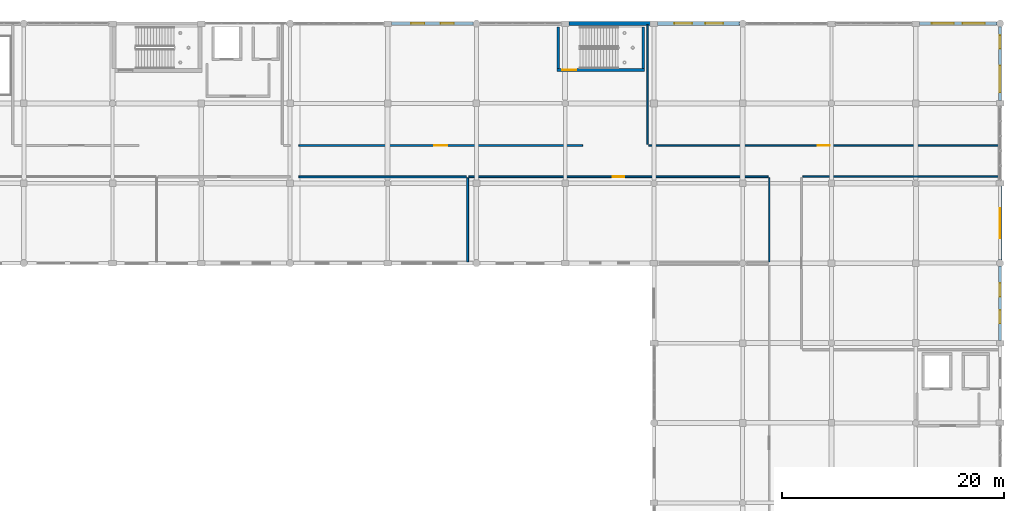
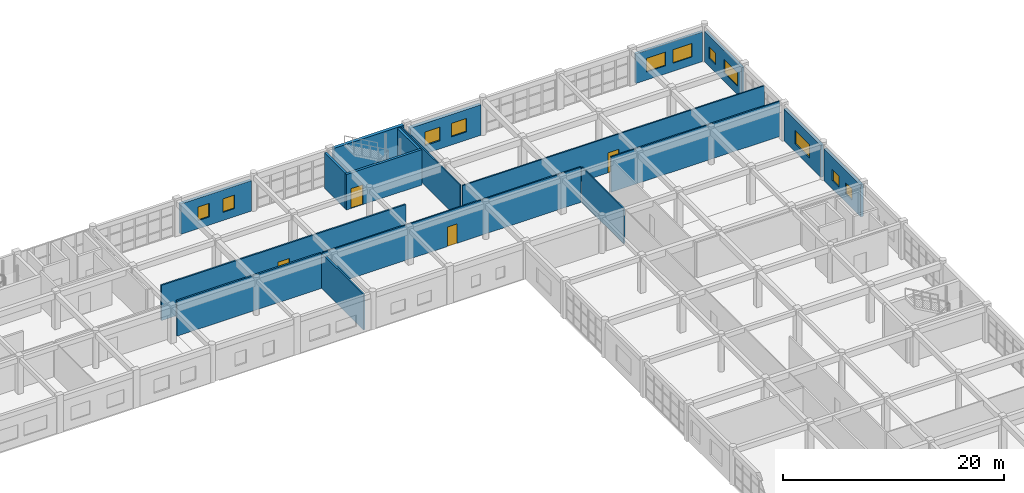
# One storey, part 46 of 53: 18 walls, 11 windows, 4 doors, 15 openings.
"""IFC4 building model written with IfcOpenShell, lengths in metres."""

from ifc_helpers import new_model, si_unit, direction, frame, frame_2d, origin, place, context, subcontext, project, spatial, rectangle, extrude, material, layer, layer_set, type_object, element, fill, save


model = new_model("IFC4")

# Units and contexts
model_context = context("Model", 3, precision=1e-05, world=origin(), true_north=direction((0.0, 1.0)))
body_context = subcontext(model_context, "Body", "Model", "MODEL_VIEW")
ifc_project = project(units=[si_unit("LENGTHUNIT", "METRE"), si_unit("AREAUNIT", "SQUARE_METRE"), si_unit("VOLUMEUNIT", "CUBIC_METRE"), si_unit("PLANEANGLEUNIT", "RADIAN"), si_unit("MASSUNIT", "GRAM", prefix="KILO")], contexts=[model_context])

# Site, building, storey
site_placement = place(None, origin())
site = spatial("IfcSite", under=ifc_project, at=site_placement, CompositionType="ELEMENT")
building_placement = place(site_placement, origin())
building = spatial("IfcBuilding", under=site, at=building_placement, Name="Kharva Crest Polytechnic", CompositionType="ELEMENT")
storey_placement = place(building_placement, frame((0.0, 0.0, 17.39990234375)))
storey = spatial("IfcBuildingStorey", under=building, at=storey_placement, Name="L04", CompositionType="ELEMENT", Elevation=17.39990234375)

# Wall, openings, windows
ifc_material_1 = material(Name="Kiln brick masonry", Category="masonry")
ifc_layer_1 = layer(ifc_material_1, 0.260009765625, Name="Kiln brick masonry")
ifc_layer_set_1 = layer_set([ifc_layer_1], Name="Kiln brick masonry")
wall_type_1 = type_object("IfcWallType", Name="WL-EXT-BRK-260", PredefinedType="SOLIDWALL", material=ifc_layer_set_1)
wall_1_placement = place(storey_placement, frame((183.731201171875, 122.0, 0.0), z_axis=(0.0, 0.0, 1.0), x_axis=(-1.0, 0.0, 0.0)))
wall_1 = element("IfcWall", 1, at=wall_1_placement, inside=storey, type_object=wall_type_1, Name="L04 Exterior Brick Wall 383", PredefinedType="SOLIDWALL", context=body_context, shape_type="SweptSolid", body=[
    extrude(rectangle(XDim=6.99609375, YDim=0.260009765625, at=frame_2d((3.498046875, 0.0))), origin(), (0.0, 0.0, 1.0), 3.2900390625),
])
opening_1_placement = place(wall_1_placement, frame((1.10498046875, 0.0, 0.89990234375)))
opening_1 = element("IfcOpeningElement", 2, at=opening_1_placement, cuts=wall_1, Name="Opening W12", PredefinedType="OPENING", context=body_context, shape_type="SweptSolid", body=[
    extrude(rectangle(XDim=2.0, YDim=1.5, at=frame_2d((1.0, 0.75))), frame((0.0, 0.139892578125, 0.0), z_axis=(0.0, -1.0, 0.0), x_axis=(1.0, 0.0, 0.0)), (0.0, 0.0, 1.0), 0.280029296875),
])
opening_2_placement = place(wall_1_placement, frame((3.89111328125, 0.0, 0.89990234375)))
opening_2 = element("IfcOpeningElement", 3, at=opening_2_placement, cuts=wall_1, Name="Opening W12", PredefinedType="OPENING", context=body_context, shape_type="SweptSolid", body=[
    extrude(rectangle(XDim=2.0, YDim=1.5, at=frame_2d((1.0, 0.75))), frame((0.0, 0.139892578125, 0.0), z_axis=(0.0, -1.0, 0.0), x_axis=(1.0, 0.0, 0.0)), (0.0, 0.0, 1.0), 0.280029296875),
])
ifc_material_2 = material(Name="Anodised aluminium", Category="aluminium")
window_type_1 = type_object("IfcWindowType", Name="WIN-ALU-2000X1500", PartitioningType="SINGLE_PANEL", PredefinedType="WINDOW", material=ifc_material_2)
window_1_placement = place(opening_1_placement, origin())
window_1 = element("IfcWindow", 4, at=window_1_placement, inside=storey, type_object=window_type_1, Name="L04 Exterior Window 535", OverallHeight=1.5, OverallWidth=2.0, PartitioningType="SINGLE_PANEL", PredefinedType="WINDOW", context=body_context, shape_type="SweptSolid", body=[
    extrude(rectangle(XDim=2.0, YDim=1.5, at=frame_2d((1.0, 0.75))), frame((0.0, 0.030029296875, 0.0), z_axis=(0.0, -1.0, 0.0), x_axis=(1.0, 0.0, 0.0)), (0.0, 0.0, 1.0), 0.06005859375),
])
fill(opening_1, window_1)
window_2_placement = place(opening_2_placement, origin())
window_2 = element("IfcWindow", 5, at=window_2_placement, inside=storey, type_object=window_type_1, Name="L04 Exterior Window 536", OverallHeight=1.5, OverallWidth=2.0, PartitioningType="SINGLE_PANEL", PredefinedType="WINDOW", context=body_context, shape_type="SweptSolid", body=[
    extrude(rectangle(XDim=2.0, YDim=1.5, at=frame_2d((1.0, 0.75))), frame((0.0, 0.030029296875, 0.0), z_axis=(0.0, -1.0, 0.0), x_axis=(1.0, 0.0, 0.0)), (0.0, 0.0, 1.0), 0.06005859375),
])
fill(opening_2, window_2)

ifc_layer_2 = layer(ifc_material_1, 0.27490234375, Name="Kiln brick masonry")
ifc_layer_set_2 = layer_set([ifc_layer_2], Name="Kiln brick masonry")
wall_type_2 = type_object("IfcWallType", Name="WL-EXT-BRK-275", PredefinedType="SOLIDWALL", material=ifc_layer_set_2)
wall_2_placement = place(storey_placement, frame((184.0, 115.044921875, 0.0), z_axis=(0.0, 0.0, 1.0), x_axis=(0.0, 1.0, 0.0)))
wall_2 = element("IfcWall", 6, at=wall_2_placement, inside=storey, type_object=wall_type_2, Name="L04 Exterior Brick Wall 382", PredefinedType="SOLIDWALL", context=body_context, shape_type="SweptSolid", body=[
    extrude(rectangle(XDim=6.686279296875, YDim=0.27490234375, at=frame_2d((3.34326171875, 0.0))), origin(), (0.0, 0.0, 1.0), 3.39013671875),
])
opening_3_placement = place(wall_2_placement, frame((0.7529296875, 0.0, 0.89990234375)))
opening_3 = element("IfcOpeningElement", 7, at=opening_3_placement, cuts=wall_2, Name="Opening W10", PredefinedType="OPENING", context=body_context, shape_type="SweptSolid", body=[
    extrude(rectangle(XDim=2.39990234375, YDim=1.5, at=frame_2d((1.199951171875, 0.75))), frame((0.0, 0.1474609375, 0.0), z_axis=(0.0, -1.0, 0.0), x_axis=(1.0, 0.0, 0.0)), (0.0, 0.0, 1.0), 0.294921875),
])
opening_4_placement = place(wall_2_placement, frame((4.696044921875, 0.0, 0.89990234375)))
opening_4 = element("IfcOpeningElement", 8, at=opening_4_placement, cuts=wall_2, Name="Opening W21", PredefinedType="OPENING", context=body_context, shape_type="SweptSolid", body=[
    extrude(rectangle(XDim=1.199951171875, YDim=1.25, at=frame_2d((0.60009765625, 0.625))), frame((0.0, 0.1474609375, 0.0), z_axis=(0.0, -1.0, 0.0), x_axis=(1.0, 0.0, 0.0)), (0.0, 0.0, 1.0), 0.294921875),
])
window_type_2 = type_object("IfcWindowType", Name="WIN-ALU-1200X1250", PartitioningType="SINGLE_PANEL", PredefinedType="WINDOW", material=ifc_material_2)
window_3_placement = place(opening_4_placement, origin())
window_3 = element("IfcWindow", 9, at=window_3_placement, inside=storey, type_object=window_type_2, Name="L04 Exterior Window 534", OverallHeight=1.25, OverallWidth=1.199951171875, PartitioningType="SINGLE_PANEL", PredefinedType="WINDOW", context=body_context, shape_type="SweptSolid", body=[
    extrude(rectangle(XDim=1.199951171875, YDim=1.25, at=frame_2d((0.60009765625, 0.625))), frame((0.0, 0.030029296875, 0.0), z_axis=(0.0, -1.0, 0.0), x_axis=(1.0, 0.0, 0.0)), (0.0, 0.0, 1.0), 0.06005859375),
])
fill(opening_4, window_3)
window_type_3 = type_object("IfcWindowType", Name="WIN-ALU-2400X1500", PartitioningType="SINGLE_PANEL", PredefinedType="WINDOW", material=ifc_material_2)
window_4_placement = place(opening_3_placement, origin())
window_4 = element("IfcWindow", 10, at=window_4_placement, inside=storey, type_object=window_type_3, Name="L04 Exterior Window 533", OverallHeight=1.5, OverallWidth=2.39990234375, PartitioningType="SINGLE_PANEL", PredefinedType="WINDOW", context=body_context, shape_type="SweptSolid", body=[
    extrude(rectangle(XDim=2.39990234375, YDim=1.5, at=frame_2d((1.199951171875, 0.75))), frame((0.0, 0.030029296875, 0.0), z_axis=(0.0, -1.0, 0.0), x_axis=(1.0, 0.0, 0.0)), (0.0, 0.0, 1.0), 0.06005859375),
])
fill(opening_3, window_4)

ifc_layer_3 = layer(ifc_material_1, 0.2900390625, Name="Kiln brick masonry")
ifc_layer_set_3 = layer_set([ifc_layer_3], Name="Kiln brick masonry")
wall_type_3 = type_object("IfcWallType", Name="WL-EXT-BRK-290", PredefinedType="SOLIDWALL", material=ifc_layer_set_3)
wall_3_placement = place(storey_placement, frame((184.0, 93.445068359375, 0.0), z_axis=(0.0, 0.0, 1.0), x_axis=(0.0, 1.0, 0.0)))
wall_3 = element("IfcWall", 11, at=wall_3_placement, inside=storey, type_object=wall_type_3, Name="L04 Exterior Brick Wall 419", PredefinedType="SOLIDWALL", context=body_context, shape_type="SweptSolid", body=[
    extrude(rectangle(XDim=6.68603515625, YDim=0.2900390625, at=frame_2d((3.343017578125, 0.0))), origin(), (0.0, 0.0, 1.0), 3.510009765625),
])
opening_5_placement = place(wall_3_placement, frame((1.534912109375, 0.0, 0.89990234375)))
opening_5 = element("IfcOpeningElement", 12, at=opening_5_placement, cuts=wall_3, Name="Opening W21", PredefinedType="OPENING", context=body_context, shape_type="SweptSolid", body=[
    extrude(rectangle(XDim=1.199951171875, YDim=1.25, at=frame_2d((0.60009765625, 0.625))), frame((0.0, 0.155029296875, 0.0), z_axis=(0.0, -1.0, 0.0), x_axis=(1.0, 0.0, 0.0)), (0.0, 0.0, 1.0), 0.31005859375),
])
opening_6_placement = place(wall_3_placement, frame((3.950927734375, 0.0, 0.89990234375)))
opening_6 = element("IfcOpeningElement", 13, at=opening_6_placement, cuts=wall_3, Name="Opening W21", PredefinedType="OPENING", context=body_context, shape_type="SweptSolid", body=[
    extrude(rectangle(XDim=1.199951171875, YDim=1.25, at=frame_2d((0.60009765625, 0.625))), frame((0.0, 0.155029296875, 0.0), z_axis=(0.0, -1.0, 0.0), x_axis=(1.0, 0.0, 0.0)), (0.0, 0.0, 1.0), 0.31005859375),
])
window_5_placement = place(opening_5_placement, origin())
window_5 = element("IfcWindow", 14, at=window_5_placement, inside=storey, type_object=window_type_2, Name="L04 Exterior Window 592", OverallHeight=1.25, OverallWidth=1.199951171875, PartitioningType="SINGLE_PANEL", PredefinedType="WINDOW", context=body_context, shape_type="SweptSolid", body=[
    extrude(rectangle(XDim=1.199951171875, YDim=1.25, at=frame_2d((0.60009765625, 0.625))), frame((0.0, 0.030029296875, 0.0), z_axis=(0.0, -1.0, 0.0), x_axis=(1.0, 0.0, 0.0)), (0.0, 0.0, 1.0), 0.06005859375),
])
fill(opening_5, window_5)
window_6_placement = place(opening_6_placement, origin())
window_6 = element("IfcWindow", 15, at=window_6_placement, inside=storey, type_object=window_type_2, Name="L04 Exterior Window 593", OverallHeight=1.25, OverallWidth=1.199951171875, PartitioningType="SINGLE_PANEL", PredefinedType="WINDOW", context=body_context, shape_type="SweptSolid", body=[
    extrude(rectangle(XDim=1.199951171875, YDim=1.25, at=frame_2d((0.60009765625, 0.625))), frame((0.0, 0.030029296875, 0.0), z_axis=(0.0, -1.0, 0.0), x_axis=(1.0, 0.0, 0.0)), (0.0, 0.0, 1.0), 0.06005859375),
])
fill(opening_6, window_6)

# Wall, opening, window
ifc_layer_4 = layer(ifc_material_1, 0.304931640625, Name="Kiln brick masonry")
ifc_layer_set_4 = layer_set([ifc_layer_4], Name="Kiln brick masonry")
wall_type_4 = type_object("IfcWallType", Name="WL-EXT-BRK-305", PredefinedType="SOLIDWALL", material=ifc_layer_set_4)
wall_4_placement = place(storey_placement, frame((184.0, 100.668701171875, 0.0), z_axis=(0.0, 0.0, 1.0), x_axis=(0.0, 1.0, 0.0)))
wall_4 = element("IfcWall", 16, at=wall_4_placement, inside=storey, type_object=wall_type_4, Name="L04 Exterior Brick Wall 381", PredefinedType="SOLIDWALL", context=body_context, shape_type="SweptSolid", body=[
    extrude(rectangle(XDim=6.686279296875, YDim=0.304931640625, at=frame_2d((3.34326171875, 0.0))), origin(), (0.0, 0.0, 1.0), 3.530029296875),
])
opening_7_placement = place(wall_4_placement, frame((1.992919921875, 0.0, 0.89990234375)))
opening_7 = element("IfcOpeningElement", 17, at=opening_7_placement, cuts=wall_4, Name="Opening W09", PredefinedType="OPENING", context=body_context, shape_type="SweptSolid", body=[
    extrude(rectangle(XDim=2.699951171875, YDim=1.5, at=frame_2d((1.35009765625, 0.75))), frame((0.0, 0.162353515625, 0.0), z_axis=(0.0, -1.0, 0.0), x_axis=(1.0, 0.0, 0.0)), (0.0, 0.0, 1.0), 0.324951171875),
])
window_type_4 = type_object("IfcWindowType", Name="WIN-ALU-2700X1500", PartitioningType="SINGLE_PANEL", PredefinedType="WINDOW", material=ifc_material_2)
window_7_placement = place(opening_7_placement, origin())
window_7 = element("IfcWindow", 18, at=window_7_placement, inside=storey, type_object=window_type_4, Name="L04 Exterior Window 532", OverallHeight=1.5, OverallWidth=2.699951171875, PartitioningType="SINGLE_PANEL", PredefinedType="WINDOW", context=body_context, shape_type="SweptSolid", body=[
    extrude(rectangle(XDim=2.699951171875, YDim=1.5, at=frame_2d((1.35009765625, 0.75))), frame((0.0, 0.030029296875, 0.0), z_axis=(0.0, -1.0, 0.0), x_axis=(1.0, 0.0, 0.0)), (0.0, 0.0, 1.0), 0.06005859375),
])
fill(opening_7, window_7)

# Wall, openings, windows
wall_5_placement = place(storey_placement, frame((136.53125, 122.0, 0.0), z_axis=(0.0, 0.0, 1.0), x_axis=(-1.0, 0.0, 0.0)))
wall_5 = element("IfcWall", 19, at=wall_5_placement, inside=storey, type_object=wall_type_4, Name="L04 Exterior Brick Wall 386", PredefinedType="SOLIDWALL", context=body_context, shape_type="SweptSolid", body=[
    extrude(rectangle(XDim=7.396240234375, YDim=0.304931640625, at=frame_2d((3.6982421875, 0.0))), origin(), (0.0, 0.0, 1.0), 3.3701171875),
])
opening_8_placement = place(wall_5_placement, frame((1.77197265625, 0.0, 0.89990234375)))
opening_8 = element("IfcOpeningElement", 20, at=opening_8_placement, cuts=wall_5, Name="Opening W16", PredefinedType="OPENING", context=body_context, shape_type="SweptSolid", body=[
    extrude(rectangle(XDim=1.199951171875, YDim=1.5, at=frame_2d((0.60009765625, 0.75))), frame((0.0, 0.162353515625, 0.0), z_axis=(0.0, -1.0, 0.0), x_axis=(1.0, 0.0, 0.0)), (0.0, 0.0, 1.0), 0.324951171875),
])
opening_9_placement = place(wall_5_placement, frame((4.424072265625, 0.0, 0.89990234375)))
opening_9 = element("IfcOpeningElement", 21, at=opening_9_placement, cuts=wall_5, Name="Opening W16", PredefinedType="OPENING", context=body_context, shape_type="SweptSolid", body=[
    extrude(rectangle(XDim=1.199951171875, YDim=1.5, at=frame_2d((0.60009765625, 0.75))), frame((0.0, 0.162353515625, 0.0), z_axis=(0.0, -1.0, 0.0), x_axis=(1.0, 0.0, 0.0)), (0.0, 0.0, 1.0), 0.324951171875),
])
window_type_5 = type_object("IfcWindowType", Name="WIN-ALU-1200X1500", PartitioningType="SINGLE_PANEL", PredefinedType="WINDOW", material=ifc_material_2)
window_8_placement = place(opening_8_placement, origin())
window_8 = element("IfcWindow", 22, at=window_8_placement, inside=storey, type_object=window_type_5, Name="L04 Exterior Window 539", OverallHeight=1.5, OverallWidth=1.199951171875, PartitioningType="SINGLE_PANEL", PredefinedType="WINDOW", context=body_context, shape_type="SweptSolid", body=[
    extrude(rectangle(XDim=1.199951171875, YDim=1.5, at=frame_2d((0.60009765625, 0.75))), frame((0.0, 0.030029296875, 0.0), z_axis=(0.0, -1.0, 0.0), x_axis=(1.0, 0.0, 0.0)), (0.0, 0.0, 1.0), 0.06005859375),
])
fill(opening_8, window_8)
window_9_placement = place(opening_9_placement, origin())
window_9 = element("IfcWindow", 23, at=window_9_placement, inside=storey, type_object=window_type_5, Name="L04 Exterior Window 540", OverallHeight=1.5, OverallWidth=1.199951171875, PartitioningType="SINGLE_PANEL", PredefinedType="WINDOW", context=body_context, shape_type="SweptSolid", body=[
    extrude(rectangle(XDim=1.199951171875, YDim=1.5, at=frame_2d((0.60009765625, 0.75))), frame((0.0, 0.030029296875, 0.0), z_axis=(0.0, -1.0, 0.0), x_axis=(1.0, 0.0, 0.0)), (0.0, 0.0, 1.0), 0.06005859375),
])
fill(opening_9, window_9)

# Wall
ifc_layer_5 = layer(ifc_material_1, 0.3349609375, Name="Kiln brick masonry")
ifc_layer_set_5 = layer_set([ifc_layer_5], Name="Kiln brick masonry")
wall_type_5 = type_object("IfcWallType", Name="WL-EXT-BRK-335", PredefinedType="SOLIDWALL", material=ifc_layer_set_5)
wall_6_placement = place(storey_placement, frame((152.465087890625, 122.0, 0.0), z_axis=(0.0, 0.0, 1.0), x_axis=(-1.0, 0.0, 0.0)))
element("IfcWall", 24, at=wall_6_placement, inside=storey, type_object=wall_type_5, Name="L04 Exterior Brick Wall 385", PredefinedType="SOLIDWALL", context=body_context, shape_type="SweptSolid", body=[
    extrude(rectangle(XDim=7.320068359375, YDim=0.3349609375, at=frame_2d((3.66015625, 0.0))), origin(), (0.0, 0.0, 1.0), 3.920166015625),
])

# Wall, openings, windows
ifc_layer_6 = layer(ifc_material_1, 0.35009765625, Name="Kiln brick masonry")
ifc_layer_set_6 = layer_set([ifc_layer_6], Name="Kiln brick masonry")
wall_type_6 = type_object("IfcWallType", Name="WL-EXT-BRK-350", PredefinedType="SOLIDWALL", material=ifc_layer_set_6)
wall_7_placement = place(storey_placement, frame((160.53125, 122.0, 0.0), z_axis=(0.0, 0.0, 1.0), x_axis=(-1.0, 0.0, 0.0)))
wall_7 = element("IfcWall", 25, at=wall_7_placement, inside=storey, type_object=wall_type_6, Name="L04 Exterior Brick Wall 384", PredefinedType="SOLIDWALL", context=body_context, shape_type="SweptSolid", body=[
    extrude(rectangle(XDim=7.396240234375, YDim=0.35009765625, at=frame_2d((3.6982421875, 0.0))), origin(), (0.0, 0.0, 1.0), 3.3701171875),
])
opening_10_placement = place(wall_7_placement, frame((1.5048828125, 0.0, 0.89990234375)))
opening_10 = element("IfcOpeningElement", 26, at=opening_10_placement, cuts=wall_7, Name="Opening W14", PredefinedType="OPENING", context=body_context, shape_type="SweptSolid", body=[
    extrude(rectangle(XDim=1.60009765625, YDim=1.5, at=frame_2d((0.800048828125, 0.75))), frame((0.0, 0.18505859375, 0.0), z_axis=(0.0, -1.0, 0.0), x_axis=(1.0, 0.0, 0.0)), (0.0, 0.0, 1.0), 0.3701171875),
])
opening_11_placement = place(wall_7_placement, frame((4.291015625, 0.0, 0.89990234375)))
opening_11 = element("IfcOpeningElement", 27, at=opening_11_placement, cuts=wall_7, Name="Opening W14", PredefinedType="OPENING", context=body_context, shape_type="SweptSolid", body=[
    extrude(rectangle(XDim=1.60009765625, YDim=1.5, at=frame_2d((0.800048828125, 0.75))), frame((0.0, 0.18505859375, 0.0), z_axis=(0.0, -1.0, 0.0), x_axis=(1.0, 0.0, 0.0)), (0.0, 0.0, 1.0), 0.3701171875),
])
window_type_6 = type_object("IfcWindowType", Name="WIN-ALU-1600X1500", PartitioningType="SINGLE_PANEL", PredefinedType="WINDOW", material=ifc_material_2)
window_10_placement = place(opening_10_placement, origin())
window_10 = element("IfcWindow", 28, at=window_10_placement, inside=storey, type_object=window_type_6, Name="L04 Exterior Window 537", OverallHeight=1.5, OverallWidth=1.60009765625, PartitioningType="SINGLE_PANEL", PredefinedType="WINDOW", context=body_context, shape_type="SweptSolid", body=[
    extrude(rectangle(XDim=1.60009765625, YDim=1.5, at=frame_2d((0.800048828125, 0.75))), frame((0.0, 0.030029296875, 0.0), z_axis=(0.0, -1.0, 0.0), x_axis=(1.0, 0.0, 0.0)), (0.0, 0.0, 1.0), 0.06005859375),
])
fill(opening_10, window_10)
window_11_placement = place(opening_11_placement, origin())
window_11 = element("IfcWindow", 29, at=window_11_placement, inside=storey, type_object=window_type_6, Name="L04 Exterior Window 538", OverallHeight=1.5, OverallWidth=1.60009765625, PartitioningType="SINGLE_PANEL", PredefinedType="WINDOW", context=body_context, shape_type="SweptSolid", body=[
    extrude(rectangle(XDim=1.60009765625, YDim=1.5, at=frame_2d((0.800048828125, 0.75))), frame((0.0, 0.030029296875, 0.0), z_axis=(0.0, -1.0, 0.0), x_axis=(1.0, 0.0, 0.0)), (0.0, 0.0, 1.0), 0.06005859375),
])
fill(opening_11, window_11)

# Walls
ifc_layer_7 = layer(ifc_material_1, 0.1298828125, Name="Kiln brick masonry")
ifc_layer_set_7 = layer_set([ifc_layer_7], Name="Kiln brick masonry")
wall_type_7 = type_object("IfcWallType", Name="WL-PART-130", PredefinedType="PARTITIONING", material=ifc_layer_set_7)
wall_8_placement = place(storey_placement, frame((163.18994140625, 100.510009765625, 0.0), z_axis=(0.0, 0.0, 1.0), x_axis=(0.0, 1.0, 0.0)))
element("IfcWall", 30, at=wall_8_placement, inside=storey, type_object=wall_type_7, Name="L04 Interior Partition 345", PredefinedType="PARTITIONING", context=body_context, shape_type="SweptSolid", body=[
    extrude(rectangle(XDim=7.570068359375, YDim=0.1298828125, at=frame_2d((3.78515625, 0.0))), origin(), (0.0, 0.0, 1.0), 3.900146484375),
])
wall_9_placement = place(storey_placement, frame((152.199951171875, 111.110107421875, 0.0), z_axis=(0.0, 0.0, 1.0), x_axis=(0.0, 1.0, 0.0)))
element("IfcWall", 31, at=wall_9_placement, inside=storey, type_object=wall_type_7, Name="L04 Interior Partition 355", PredefinedType="PARTITIONING", context=body_context, shape_type="SweptSolid", body=[
    extrude(rectangle(XDim=10.77978515625, YDim=0.1298828125, at=frame_2d((5.389892578125, 0.0))), origin(), (0.0, 0.0, 1.0), 3.900146484375),
])

# Wall, opening, door
ifc_layer_8 = layer(ifc_material_1, 0.139892578125, Name="Kiln brick masonry")
ifc_layer_set_8 = layer_set([ifc_layer_8], Name="Kiln brick masonry")
wall_type_8 = type_object("IfcWallType", Name="WL-PART-140", PredefinedType="PARTITIONING", material=ifc_layer_set_8)
wall_10_placement = place(storey_placement, frame((136.1201171875, 108.18994140625, 0.0), z_axis=(0.0, 0.0, 1.0), x_axis=(1.0, 0.0, 0.0)))
wall_10 = element("IfcWall", 32, at=wall_10_placement, inside=storey, type_object=wall_type_8, Name="L04 Interior Partition 344", PredefinedType="PARTITIONING", context=body_context, shape_type="SweptSolid", body=[
    extrude(rectangle(XDim=26.9599609375, YDim=0.139892578125, at=frame_2d((13.47998046875, 0.0))), origin(), (0.0, 0.0, 1.0), 3.900146484375),
])
opening_12_placement = place(wall_10_placement, frame((12.97998046875, 0.0, 0.0)))
opening_12 = element("IfcOpeningElement", 33, at=opening_12_placement, cuts=wall_10, Name="Opening ID12", PredefinedType="OPENING", context=body_context, shape_type="SweptSolid", body=[
    extrude(rectangle(XDim=1.0, YDim=2.14990234375, at=frame_2d((0.5, 1.074951171875))), frame((0.0, 0.079833984375, 0.0), z_axis=(0.0, -1.0, 0.0), x_axis=(1.0, 0.0, 0.0)), (0.0, 0.0, 1.0), 0.159912109375),
])
ifc_material_3 = material(Name="Teak timber", Category="wood")
door_type_1 = type_object("IfcDoorType", Name="DR-OFF-1000X2150", OperationType="NOTDEFINED", PredefinedType="DOOR", material=ifc_material_3)
door_1_placement = place(opening_12_placement, origin())
door_1 = element("IfcDoor", 34, at=door_1_placement, inside=storey, type_object=door_type_1, Name="L04 Faculty Office L04-N1 Door", OperationType="SINGLE_SWING_RIGHT", OverallHeight=2.14990234375, OverallWidth=1.0, PredefinedType="DOOR", context=body_context, shape_type="SweptSolid", body=[
    extrude(rectangle(XDim=1.0, YDim=2.14990234375, at=frame_2d((0.5, 1.074951171875))), frame((0.0, 0.02490234375, 0.0), z_axis=(0.0, -1.0, 0.0), x_axis=(1.0, 0.0, 0.0)), (0.0, 0.0, 1.0), 0.050048828125),
])
fill(opening_12, door_1)

wall_11_placement = place(storey_placement, frame((152.31005859375, 111.0, 0.0), z_axis=(0.0, 0.0, 1.0), x_axis=(1.0, 0.0, 0.0)))
wall_11 = element("IfcWall", 35, at=wall_11_placement, inside=storey, type_object=wall_type_8, Name="L04 Interior Partition 354", PredefinedType="PARTITIONING", context=body_context, shape_type="SweptSolid", body=[
    extrude(rectangle(XDim=31.579833984375, YDim=0.139892578125, at=frame_2d((15.7900390625, 0.0))), origin(), (0.0, 0.0, 1.0), 3.900146484375),
])
opening_13_placement = place(wall_11_placement, frame((15.22998046875, 0.0, 0.0)))
opening_13 = element("IfcOpeningElement", 36, at=opening_13_placement, cuts=wall_11, Name="Opening ID9", PredefinedType="OPENING", context=body_context, shape_type="SweptSolid", body=[
    extrude(rectangle(XDim=1.1201171875, YDim=2.199951171875, at=frame_2d((0.56005859375, 1.10009765625))), frame((0.0, 0.079833984375, 0.0), z_axis=(0.0, -1.0, 0.0), x_axis=(1.0, 0.0, 0.0)), (0.0, 0.0, 1.0), 0.159912109375),
])
door_type_2 = type_object("IfcDoorType", Name="DR-STD-1120X2200", OperationType="NOTDEFINED", PredefinedType="DOOR", material=ifc_material_3)
door_2_placement = place(opening_13_placement, origin())
door_2 = element("IfcDoor", 37, at=door_2_placement, inside=storey, type_object=door_type_2, Name="L04 Graphic Communication Design Studio L04-D Door", OperationType="SINGLE_SWING_LEFT", OverallHeight=2.199951171875, OverallWidth=1.1201171875, PredefinedType="DOOR", context=body_context, shape_type="SweptSolid", body=[
    extrude(rectangle(XDim=1.1201171875, YDim=2.199951171875, at=frame_2d((0.56005859375, 1.10009765625))), frame((0.0, 0.02490234375, 0.0), z_axis=(0.0, -1.0, 0.0), x_axis=(1.0, 0.0, 0.0)), (0.0, 0.0, 1.0), 0.050048828125),
])
fill(opening_13, door_2)

# Wall
ifc_layer_9 = layer(ifc_material_1, 0.14990234375, Name="Kiln brick masonry")
ifc_layer_set_9 = layer_set([ifc_layer_9], Name="Kiln brick masonry")
wall_type_9 = type_object("IfcWallType", Name="WL-PART-150", PredefinedType="PARTITIONING", material=ifc_layer_set_9)
wall_12_placement = place(storey_placement, frame((166.219970703125, 108.199951171875, 0.0), z_axis=(0.0, 0.0, 1.0), x_axis=(1.0, 0.0, 0.0)))
element("IfcWall", 38, at=wall_12_placement, inside=storey, type_object=wall_type_9, Name="L04 Interior Partition 363", PredefinedType="PARTITIONING", context=body_context, shape_type="SweptSolid", body=[
    extrude(rectangle(XDim=17.669921875, YDim=0.14990234375, at=frame_2d((8.8349609375, 0.0))), origin(), (0.0, 0.0, 1.0), 3.900146484375),
])

# Wall, opening, door
ifc_layer_10 = layer(ifc_material_1, 0.159912109375, Name="Kiln brick masonry")
ifc_layer_set_10 = layer_set([ifc_layer_10], Name="Kiln brick masonry")
wall_type_10 = type_object("IfcWallType", Name="WL-PART-160", PredefinedType="PARTITIONING", material=ifc_layer_set_10)
wall_13_placement = place(storey_placement, frame((120.800048828125, 111.010009765625, 0.0), z_axis=(0.0, 0.0, 1.0), x_axis=(1.0, 0.0, 0.0)))
wall_13 = element("IfcWall", 39, at=wall_13_placement, inside=storey, type_object=wall_type_10, Name="L04 Interior Partition 352 E", PredefinedType="PARTITIONING", context=body_context, shape_type="SweptSolid", body=[
    extrude(rectangle(XDim=25.579833984375, YDim=0.159912109375, at=frame_2d((12.7900390625, 0.0))), origin(), (0.0, 0.0, 1.0), 3.900146484375),
])
opening_14_placement = place(wall_13_placement, frame((12.199951171875, 0.0, 0.0)))
opening_14 = element("IfcOpeningElement", 40, at=opening_14_placement, cuts=wall_13, Name="Opening ID8", PredefinedType="OPENING", context=body_context, shape_type="SweptSolid", body=[
    extrude(rectangle(XDim=1.179931640625, YDim=2.199951171875, at=frame_2d((0.58984375, 1.10009765625))), frame((0.0, 0.08984375, 0.0), z_axis=(0.0, -1.0, 0.0), x_axis=(1.0, 0.0, 0.0)), (0.0, 0.0, 1.0), 0.179931640625),
])
door_type_3 = type_object("IfcDoorType", Name="DR-STD-1180X2200", OperationType="NOTDEFINED", PredefinedType="DOOR", material=ifc_material_3)
door_3_placement = place(opening_14_placement, origin())
door_3 = element("IfcDoor", 41, at=door_3_placement, inside=storey, type_object=door_type_3, Name="L04 Interior Architecture Design Studio L04-C Door", OperationType="SINGLE_SWING_RIGHT", OverallHeight=2.199951171875, OverallWidth=1.179931640625, PredefinedType="DOOR", context=body_context, shape_type="SweptSolid", body=[
    extrude(rectangle(XDim=1.179931640625, YDim=2.199951171875, at=frame_2d((0.58984375, 1.10009765625))), frame((0.0, 0.02490234375, 0.0), z_axis=(0.0, -1.0, 0.0), x_axis=(1.0, 0.0, 0.0)), (0.0, 0.0, 1.0), 0.050048828125),
])
fill(opening_14, door_3)

# Walls
ifc_layer_11 = layer(ifc_material_1, 0.169921875, Name="Kiln brick masonry")
ifc_layer_set_11 = layer_set([ifc_layer_11], Name="Kiln brick masonry")
wall_type_11 = type_object("IfcWallType", Name="WL-PART-170", PredefinedType="PARTITIONING", material=ifc_layer_set_11)
wall_14_placement = place(storey_placement, frame((136.0, 100.510009765625, 0.0), z_axis=(0.0, 0.0, 1.0), x_axis=(0.0, 1.0, 0.0)))
element("IfcWall", 42, at=wall_14_placement, inside=storey, type_object=wall_type_11, Name="L04 Interior Partition 341", PredefinedType="PARTITIONING", context=body_context, shape_type="SweptSolid", body=[
    extrude(rectangle(XDim=7.570068359375, YDim=0.169921875, at=frame_2d((3.78515625, 0.0))), origin(), (0.0, 0.0, 1.0), 3.900146484375),
])
ifc_layer_12 = layer(ifc_material_1, 0.179931640625, Name="Kiln brick masonry")
ifc_layer_set_12 = layer_set([ifc_layer_12], Name="Kiln brick masonry")
wall_type_12 = type_object("IfcWallType", Name="WL-PART-180", PredefinedType="PARTITIONING", material=ifc_layer_set_12)
wall_15_placement = place(storey_placement, frame((120.800048828125, 108.18994140625, 0.0), z_axis=(0.0, 0.0, 1.0), x_axis=(1.0, 0.0, 0.0)))
element("IfcWall", 43, at=wall_15_placement, inside=storey, type_object=wall_type_12, Name="L04 Interior Partition 340 E", PredefinedType="PARTITIONING", context=body_context, shape_type="SweptSolid", body=[
    extrude(rectangle(XDim=15.08984375, YDim=0.179931640625, at=frame_2d((7.544921875, 0.0))), origin(), (0.0, 0.0, 1.0), 3.900146484375),
])

# Wall, opening, door
ifc_material_4 = material(Name="Concrete C40/50", Category="concrete")
ifc_layer_13 = layer(ifc_material_4, 0.25, Name="Concrete C40/50")
ifc_layer_set_13 = layer_set([ifc_layer_13], Name="Concrete C40/50")
wall_type_13 = type_object("IfcWallType", Name="WL-SHEAR-SW1-250", PredefinedType="SHEAR", material=ifc_layer_set_13)
wall_16_placement = place(storey_placement, frame((144.050048828125, 117.81494140625, 0.0), z_axis=(0.0, 0.0, 1.0), x_axis=(1.0, 0.0, 0.0)))
wall_16 = element("IfcWall", 44, at=wall_16_placement, inside=storey, type_object=wall_type_13, Name="L04 North-East Library Wing Stair C9 South Shear Wall", PredefinedType="SHEAR", context=body_context, shape_type="SweptSolid", body=[
    extrude(rectangle(XDim=7.89990234375, YDim=0.25, at=frame_2d((3.949951171875, 0.0))), origin(), (0.0, 0.0, 1.0), 3.920166015625),
])
opening_15_placement = place(wall_16_placement, frame((0.5, 0.0, 0.0)))
opening_15 = element("IfcOpeningElement", 45, at=opening_15_placement, cuts=wall_16, Name="Opening FD1B", PredefinedType="OPENING", context=body_context, shape_type="SweptSolid", body=[
    extrude(rectangle(XDim=1.25, YDim=2.199951171875, at=frame_2d((0.625, 1.10009765625))), frame((0.0, 0.135009765625, 0.0), z_axis=(0.0, -1.0, 0.0), x_axis=(1.0, 0.0, 0.0)), (0.0, 0.0, 1.0), 0.27001953125),
])
door_type_4 = type_object("IfcDoorType", Name="DR-STAIR-1250X2200", OperationType="NOTDEFINED", PredefinedType="DOOR", material=ifc_material_3)
door_4_placement = place(opening_15_placement, origin())
door_4 = element("IfcDoor", 46, at=door_4_placement, inside=storey, type_object=door_type_4, Name="L04 ST-09 Stair Door", OperationType="SINGLE_SWING_RIGHT", OverallHeight=2.199951171875, OverallWidth=1.25, PredefinedType="DOOR", context=body_context, shape_type="SweptSolid", body=[
    extrude(rectangle(XDim=1.25, YDim=2.199951171875, at=frame_2d((0.625, 1.10009765625))), frame((0.0, 0.02490234375, 0.0), z_axis=(0.0, -1.0, 0.0), x_axis=(1.0, 0.0, 0.0)), (0.0, 0.0, 1.0), 0.050048828125),
])
fill(opening_15, door_4)

# Walls
for number, where, z_axis, x_axis, name in (
    (47, (144.175048828125, 117.93994140625, 0.0), (0.0, 0.0, 1.0), (0.0, 1.0, 0.0), "L04 North-East Library Wing Stair C9 West Shear Wall"),
    (48, (151.824951171875, 117.93994140625, 0.0), (0.0, 0.0, 1.0), (0.0, 1.0, 0.0), "L04 North-East Library Wing Stair C9 East Shear Wall"),
):
    element("IfcWall", number, at=place(storey_placement, frame(where, z_axis=z_axis, x_axis=x_axis)), inside=storey, type_object=wall_type_13, Name=name, PredefinedType="SHEAR", context=body_context, shape_type="SweptSolid", body=[
        extrude(rectangle(XDim=3.760009765625, YDim=0.25, at=frame_2d((1.8798828125, 0.0))), origin(), (0.0, 0.0, 1.0), 3.920166015625),
    ])

save(model, "model.ifc")
